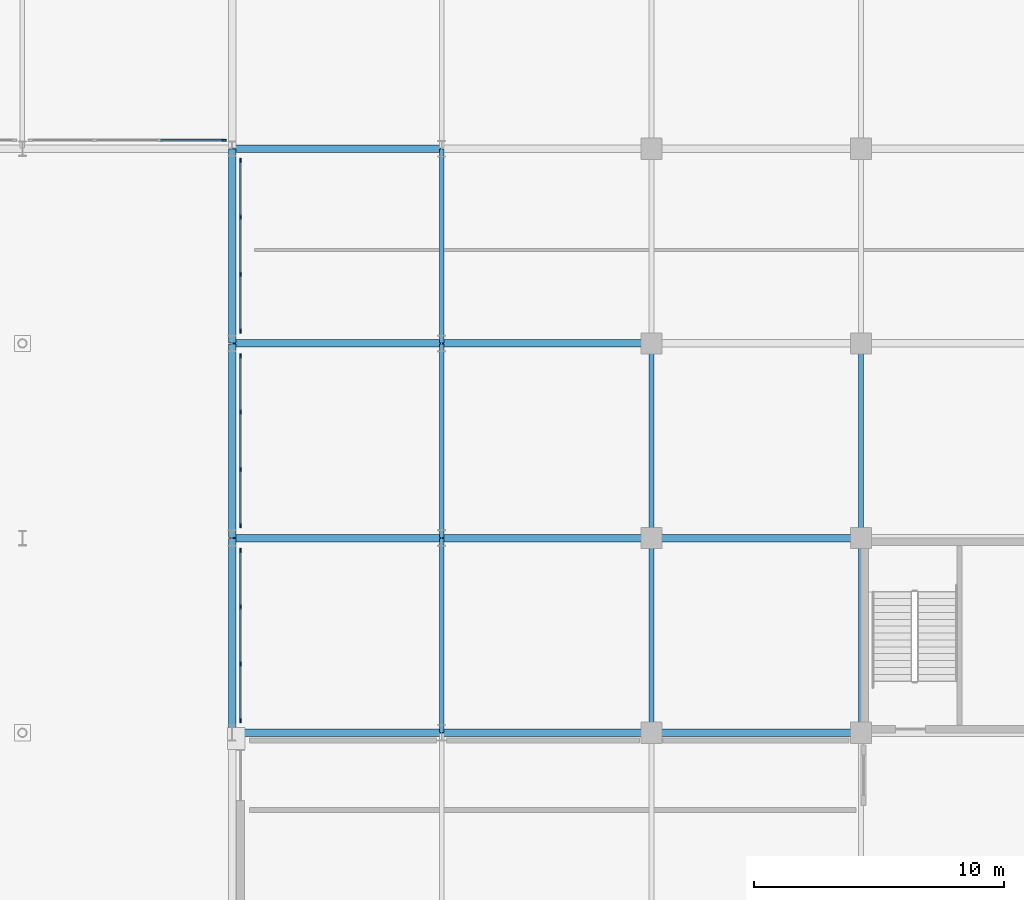
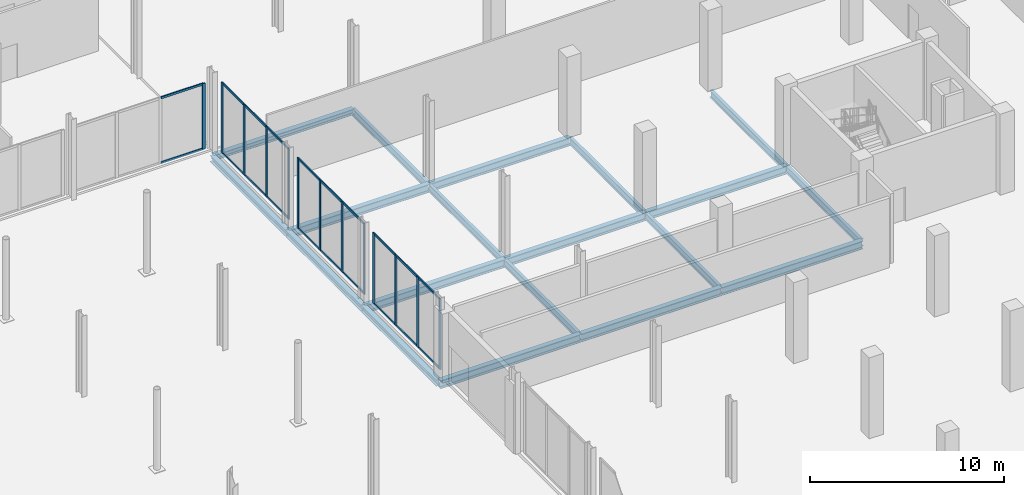
# One storey, part 38 of 80: 33 members, 19 beams, 4 elements without a shape of their own.
"""IFC4 building model written with IfcOpenShell, lengths in metres."""

import ifcopenshell
import ifcopenshell.guid

model = None  # the IFC model being written
_history = None  # IfcOwnerHistory: only IFC2X3 demands one
_inside = {}  # id of a spatial element -> (the spatial element, [elements in it])
_under = {}  # id of a project, library or spatial element -> (it, [spatial elements below it])
_declared = {}  # id of a project -> (the project, [libraries it declares])
_typed = {}  # id of a type object -> (the type object, [elements of that type])
_made_of = {}  # id of a material, layer set ... -> (it, [elements and type objects made of it])


def new_model(schema):
    """Start an empty IFC model of exactly this schema.

    Asked for "IFC4X3", IfcOpenShell would pick the latest addendum, in which some entities
    have other attributes; the version numbers below select the first issue.
    IFC2X3 requires an IfcOwnerHistory on every rooted entity: one is made here for all.
    """
    global model, _history
    if schema == "IFC4X3":
        model = ifcopenshell.file(schema_version=(4, 3, 0, 0))
    else:
        model = ifcopenshell.file(schema=schema)
    _inside.clear()
    _under.clear()
    _declared.clear()
    _typed.clear()
    _made_of.clear()
    _history = None
    if model.schema == "IFC2X3":
        org = make("IfcOrganization", Name="unknown")
        user = make(
            "IfcPersonAndOrganization",
            ThePerson=make("IfcPerson", FamilyName="unknown"),
            TheOrganization=org,
        )
        app = make(
            "IfcApplication",
            ApplicationDeveloper=org,
            Version="unknown",
            ApplicationFullName="unknown",
            ApplicationIdentifier="unknown",
        )
        _history = make(
            "IfcOwnerHistory",
            OwningUser=user,
            OwningApplication=app,
            ChangeAction="ADDED",
            CreationDate=0,
        )
    return model


def make(cls, **values):
    """One entity of the class cls with the attributes given. An attribute that is None is left unset."""
    return model.create_entity(
        cls, **{name: value for name, value in values.items() if value is not None}
    )


def rooted(cls, **values):
    """An entity with a GlobalId (a new one), such as an element, a storey or a relation."""
    return make(cls, GlobalId=ifcopenshell.guid.new(), OwnerHistory=_history, **values)


def si_unit(unit_type, name, prefix=None):
    """IfcSIUnit, for example si_unit("LENGTHUNIT", "METRE", prefix="MILLI")."""
    return make("IfcSIUnit", UnitType=unit_type, Prefix=prefix, Name=name)


def assignment(units):
    """IfcUnitAssignment: the units of a project."""
    return None if units is None else make("IfcUnitAssignment", Units=units)


def point(xyz):
    """IfcCartesianPoint."""
    return None if xyz is None else make("IfcCartesianPoint", Coordinates=xyz)


def direction(xyz):
    """IfcDirection."""
    return None if xyz is None else make("IfcDirection", DirectionRatios=xyz)


def frame(location, z_axis=None, x_axis=None):
    """IfcAxis2Placement3D, a coordinate frame: its origin and axes. An axis left out is left unset."""
    return make(
        "IfcAxis2Placement3D",
        Location=point(location),
        Axis=direction(z_axis),
        RefDirection=direction(x_axis),
    )


def frame_2d(location, x_axis=None):
    """IfcAxis2Placement2D, a coordinate frame in the plane: its origin and x axis."""
    return make(
        "IfcAxis2Placement2D", Location=point(location), RefDirection=direction(x_axis)
    )


def origin():
    """The frame at (0, 0, 0) with its axes left unset."""
    return frame((0.0, 0.0, 0.0))


def origin_2d():
    """The frame at (0, 0) in the plane with its x axis left unset."""
    return frame_2d((0.0, 0.0))


def place(relative_to, where):
    """IfcLocalPlacement: puts the frame where relative to a parent placement (None: the world)."""
    return make(
        "IfcLocalPlacement", PlacementRelTo=relative_to, RelativePlacement=where
    )


def context(
    kind, dimensions, precision=None, world=None, true_north=None, identifier=None
):
    """IfcGeometricRepresentationContext, for example the 3D "Model" context."""
    return make(
        "IfcGeometricRepresentationContext",
        ContextIdentifier=identifier,
        ContextType=kind,
        CoordinateSpaceDimension=dimensions,
        Precision=precision,
        WorldCoordinateSystem=world,
        TrueNorth=true_north,
    )


def subcontext(parent, identifier, kind, view, scale=None):
    """IfcGeometricRepresentationSubContext, for example "Body" below "Model"."""
    return make(
        "IfcGeometricRepresentationSubContext",
        ContextIdentifier=identifier,
        ContextType=kind,
        ParentContext=parent,
        TargetScale=scale,
        TargetView=view,
    )


def project(units=None, contexts=None):
    """IfcProject with its units and contexts."""
    return rooted(
        "IfcProject",
        Name="project",
        RepresentationContexts=contexts,
        UnitsInContext=assignment(units),
    )


def spatial(cls, under=None, at=None, **own):
    """A site, building, storey or space (cls), placed at a placement, below another one or the project."""
    s = rooted(cls, ObjectPlacement=at, **own)
    if under is not None:
        _under.setdefault(under.id(), (under, []))[1].append(s)
    return s


def profile(cls, at=None, kind="AREA", **sizes):
    """A parametric profile (cls). Its sizes go by their IFC names, for example OverallWidth=200.0."""
    return make(cls, ProfileType=kind, Position=at, **sizes)


def rectangle(**sizes):
    """IfcRectangleProfileDef."""
    return profile("IfcRectangleProfileDef", **sizes)


def i_section(**sizes):
    """IfcIShapeProfileDef."""
    return profile("IfcIShapeProfileDef", **sizes)


def extrude(swept, where, along, depth):
    """IfcExtrudedAreaSolid: the profile swept, set in the frame where, extruded along a direction by depth."""
    return make(
        "IfcExtrudedAreaSolid",
        SweptArea=swept,
        Position=where,
        ExtrudedDirection=direction(along),
        Depth=depth,
    )


def shape(context_of_items, identifier, shape_type, items):
    """IfcShapeRepresentation: the items that make up one representation, for example the "Body"."""
    return make(
        "IfcShapeRepresentation",
        ContextOfItems=context_of_items,
        RepresentationIdentifier=identifier,
        RepresentationType=shape_type,
        Items=items,
    )


def material(Name=None, Category=None):
    """IfcMaterial."""
    return make("IfcMaterial", Name=Name, Category=Category)


def material_profile(
    of_material, cross_section, Name=None, Category=None, Priority=None
):
    """IfcMaterialProfile: a cross section and its material."""
    return make(
        "IfcMaterialProfile",
        Name=Name,
        Material=of_material,
        Profile=cross_section,
        Priority=Priority,
        Category=Category,
    )


def profile_set(profiles, Name=None, composite=None):
    """IfcMaterialProfileSet."""
    return make(
        "IfcMaterialProfileSet",
        Name=Name,
        MaterialProfiles=profiles,
        CompositeProfile=composite,
    )


def made_of(thing, what):
    """Note that an element or type object is made of a material, layer set ...; save() writes the relation."""
    if what is not None:
        _made_of.setdefault(what.id(), (what, []))[1].append(thing)
    return thing


def type_object(cls, material=None, **own):
    """A type object (cls), such as IfcWallType, which elements share."""
    return made_of(rooted(cls, **own), material)


def element(
    cls,
    number,
    at=None,
    inside=None,
    cuts=None,
    type_object=None,
    material=None,
    context=None,
    identifier="Body",
    shape_type=None,
    held_by="IfcProductDefinitionShape",
    body=None,
    shapes=None,
    **own,
):
    """One element of the class cls, such as IfcWall. Its Tag is "e" and its number.

    at: its placement. inside: the storey or other place that contains it. cuts: it is an
    opening in that element (IfcRelVoidsElement). A single representation is given by context,
    identifier, shape_type and body (its items); several are given by shapes. held_by: the class
    of the entity that holds the representations. save() writes the other relations.
    """
    e = rooted(cls, Tag="e%d" % number, ObjectPlacement=at, **own)
    if body is not None:
        shapes = [shape(context, identifier, shape_type, body)]
    if shapes is not None:
        e.Representation = make(held_by, Representations=shapes)
    if inside is not None:
        _inside.setdefault(inside.id(), (inside, []))[1].append(e)
    if cuts is not None:
        rooted(
            "IfcRelVoidsElement", RelatingBuildingElement=cuts, RelatedOpeningElement=e
        )
    if type_object is not None:
        _typed.setdefault(type_object.id(), (type_object, []))[1].append(e)
    return made_of(e, material)


def aggregate(whole, parts):
    """IfcRelAggregates: a whole, such as a stair, and the parts it consists of."""
    return rooted("IfcRelAggregates", RelatingObject=whole, RelatedObjects=parts)


def save(model, path):
    """Write the relations noted so far, then the file.

    IfcRelAggregates (storeys below a building ...), IfcRelContainedInSpatialStructure (elements
    in a storey), IfcRelDefinesByType, IfcRelAssociatesMaterial and IfcRelDeclares: one each for
    every whole, place, type object, material and project.
    """
    for whole, parts in _under.values():
        aggregate(whole, parts)
    for where, things in _inside.values():
        rooted(
            "IfcRelContainedInSpatialStructure",
            RelatedElements=things,
            RelatingStructure=where,
        )
    for kind, things in _typed.values():
        rooted("IfcRelDefinesByType", RelatedObjects=things, RelatingType=kind)
    for what, things in _made_of.values():
        rooted("IfcRelAssociatesMaterial", RelatedObjects=things, RelatingMaterial=what)
    for by, libraries in _declared.values():
        rooted("IfcRelDeclares", RelatingContext=by, RelatedDefinitions=libraries)
    model.write(path)


model = new_model("IFC4")

# Units and contexts
model_context = context("Model", 3, precision=1e-05, world=origin(), true_north=direction((0.0, 1.0)))
body_context = subcontext(model_context, "Body", "Model", "MODEL_VIEW")
ifc_project = project(units=[si_unit("LENGTHUNIT", "METRE"), si_unit("AREAUNIT", "SQUARE_METRE"), si_unit("VOLUMEUNIT", "CUBIC_METRE"), si_unit("PLANEANGLEUNIT", "RADIAN"), si_unit("MASSUNIT", "GRAM", prefix="KILO")], contexts=[model_context])

# Site, building, storey
site_placement = place(None, origin())
site = spatial("IfcSite", under=ifc_project, at=site_placement, CompositionType="ELEMENT")
building_placement = place(site_placement, origin())
building = spatial("IfcBuilding", under=site, at=building_placement, Name="Nabrawat Pavilion Hospital", CompositionType="ELEMENT")
storey_placement = place(building_placement, origin())
storey = spatial("IfcBuildingStorey", under=building, at=storey_placement, Name="L00", CompositionType="ELEMENT", Elevation=0.0)

# Curtain wall, member
ifc_material_1 = material(Name="Anodised Aluminium", Category="aluminium")
curtain_wall_type = type_object("IfcCurtainWallType", Name="Healing Garden Cloister Curtain Wall", PredefinedType="USERDEFINED", material=ifc_material_1)
curtain_wall_1_placement = place(storey_placement, origin())
curtain_wall_1 = element("IfcCurtainWall", 1, at=curtain_wall_1_placement, inside=storey, type_object=curtain_wall_type, Name="L00 Healing Garden Cloister Curtain Wall 023", ObjectType="CURTAIN WALL", PredefinedType="USERDEFINED")
ifc_material_profile_1 = material_profile(ifc_material_1, rectangle(XDim=0.06494140625, YDim=0.179931640625, at=origin_2d()), Name="CWM 65x180")
ifc_profile_set_1 = profile_set([ifc_material_profile_1], Name="Anodised Aluminium")
member_type_1 = type_object("IfcMemberType", Name="Healing Garden Cloister Curtain Wall Mullion CWM 65x180", PredefinedType="MULLION", material=ifc_profile_set_1)
member_1_placement = place(storey_placement, frame((125.677490234375, 86.139892578125, 0.0), z_axis=(0.0, 0.0, 1.0), x_axis=(0.0, 1.0, 0.0)))
member_1 = element("IfcMember", 2, at=member_1_placement, type_object=member_type_1, Name="CW-CLN-01 mullion 4", PredefinedType="MULLION", context=body_context, shape_type="SweptSolid", body=[
    extrude(rectangle(XDim=0.06494140625, YDim=0.179931640625, at=origin_2d()), origin(), (0.0, 0.0, 1.0), 4.139892578125),
])

# Curtain wall, members
curtain_wall_2_placement = place(storey_placement, origin())
curtain_wall_2 = element("IfcCurtainWall", 3, at=curtain_wall_2_placement, inside=storey, type_object=curtain_wall_type, Name="L00 Healing Garden Cloister Curtain Wall 026", ObjectType="CURTAIN WALL", PredefinedType="USERDEFINED")
member_2_placement = place(storey_placement, frame((126.340087890625, 62.8974609375, 0.0), z_axis=(0.0, 0.0, 1.0), x_axis=(-1.0, 0.0, 0.0)))
member_2 = element("IfcMember", 4, at=member_2_placement, type_object=member_type_1, Name="CW-CLN-01 mullion 1", PredefinedType="MULLION", context=body_context, shape_type="SweptSolid", body=[
    extrude(rectangle(XDim=0.06494140625, YDim=0.179931640625, at=origin_2d()), origin(), (0.0, 0.0, 1.0), 4.43994140625),
])
member_3_placement = place(storey_placement, frame((126.340087890625, 65.155029296875, 0.0), z_axis=(0.0, 0.0, 1.0), x_axis=(-1.0, 0.0, 0.0)))
member_3 = element("IfcMember", 5, at=member_3_placement, type_object=member_type_1, Name="CW-CLN-01 mullion 2", PredefinedType="MULLION", context=body_context, shape_type="SweptSolid", body=[
    extrude(rectangle(XDim=0.06494140625, YDim=0.179931640625, at=origin_2d()), origin(), (0.0, 0.0, 1.0), 4.43994140625),
])
member_4_placement = place(storey_placement, frame((126.340087890625, 67.445068359375, 0.0), z_axis=(0.0, 0.0, 1.0), x_axis=(-1.0, 0.0, 0.0)))
member_4 = element("IfcMember", 6, at=member_4_placement, type_object=member_type_1, Name="CW-CLN-01 mullion 3", PredefinedType="MULLION", context=body_context, shape_type="SweptSolid", body=[
    extrude(rectangle(XDim=0.06494140625, YDim=0.179931640625, at=origin_2d()), origin(), (0.0, 0.0, 1.0), 4.43994140625),
])
member_5_placement = place(storey_placement, frame((126.340087890625, 69.702392578125, 0.0), z_axis=(0.0, 0.0, 1.0), x_axis=(-1.0, 0.0, 0.0)))
member_5 = element("IfcMember", 7, at=member_5_placement, type_object=member_type_1, Name="CW-CLN-01 mullion 4", PredefinedType="MULLION", context=body_context, shape_type="SweptSolid", body=[
    extrude(rectangle(XDim=0.06494140625, YDim=0.179931640625, at=origin_2d()), origin(), (0.0, 0.0, 1.0), 4.43994140625),
])

curtain_wall_3_placement = place(storey_placement, origin())
curtain_wall_3 = element("IfcCurtainWall", 8, at=curtain_wall_3_placement, inside=storey, type_object=curtain_wall_type, Name="L00 Healing Garden Cloister Curtain Wall 027", ObjectType="CURTAIN WALL", PredefinedType="USERDEFINED")
member_6_placement = place(storey_placement, frame((126.340087890625, 70.697509765625, 0.0), z_axis=(0.0, 0.0, 1.0), x_axis=(-1.0, 0.0, 0.0)))
member_6 = element("IfcMember", 9, at=member_6_placement, type_object=member_type_1, Name="CW-CLN-01 mullion 1", PredefinedType="MULLION", context=body_context, shape_type="SweptSolid", body=[
    extrude(rectangle(XDim=0.06494140625, YDim=0.179931640625, at=origin_2d()), origin(), (0.0, 0.0, 1.0), 4.43994140625),
])
member_7_placement = place(storey_placement, frame((126.340087890625, 72.955078125, 0.0), z_axis=(0.0, 0.0, 1.0), x_axis=(-1.0, 0.0, 0.0)))
member_7 = element("IfcMember", 10, at=member_7_placement, type_object=member_type_1, Name="CW-CLN-01 mullion 2", PredefinedType="MULLION", context=body_context, shape_type="SweptSolid", body=[
    extrude(rectangle(XDim=0.06494140625, YDim=0.179931640625, at=origin_2d()), origin(), (0.0, 0.0, 1.0), 4.43994140625),
])
member_8_placement = place(storey_placement, frame((126.340087890625, 75.2451171875, 0.0), z_axis=(0.0, 0.0, 1.0), x_axis=(-1.0, 0.0, 0.0)))
member_8 = element("IfcMember", 11, at=member_8_placement, type_object=member_type_1, Name="CW-CLN-01 mullion 3", PredefinedType="MULLION", context=body_context, shape_type="SweptSolid", body=[
    extrude(rectangle(XDim=0.06494140625, YDim=0.179931640625, at=origin_2d()), origin(), (0.0, 0.0, 1.0), 4.43994140625),
])
member_9_placement = place(storey_placement, frame((126.340087890625, 77.50244140625, 0.0), z_axis=(0.0, 0.0, 1.0), x_axis=(-1.0, 0.0, 0.0)))
member_9 = element("IfcMember", 12, at=member_9_placement, type_object=member_type_1, Name="CW-CLN-01 mullion 4", PredefinedType="MULLION", context=body_context, shape_type="SweptSolid", body=[
    extrude(rectangle(XDim=0.06494140625, YDim=0.179931640625, at=origin_2d()), origin(), (0.0, 0.0, 1.0), 4.43994140625),
])

curtain_wall_4_placement = place(storey_placement, origin())
curtain_wall_4 = element("IfcCurtainWall", 13, at=curtain_wall_4_placement, inside=storey, type_object=curtain_wall_type, Name="L00 Healing Garden Cloister Curtain Wall 028", ObjectType="CURTAIN WALL", PredefinedType="USERDEFINED")
member_10_placement = place(storey_placement, frame((126.340087890625, 78.49755859375, 0.0), z_axis=(0.0, 0.0, 1.0), x_axis=(-1.0, 0.0, 0.0)))
member_10 = element("IfcMember", 14, at=member_10_placement, type_object=member_type_1, Name="CW-CLN-01 mullion 1", PredefinedType="MULLION", context=body_context, shape_type="SweptSolid", body=[
    extrude(rectangle(XDim=0.06494140625, YDim=0.179931640625, at=origin_2d()), origin(), (0.0, 0.0, 1.0), 4.43994140625),
])
member_11_placement = place(storey_placement, frame((126.340087890625, 80.763427734375, 0.0), z_axis=(0.0, 0.0, 1.0), x_axis=(-1.0, 0.0, 0.0)))
member_11 = element("IfcMember", 15, at=member_11_placement, type_object=member_type_1, Name="CW-CLN-01 mullion 2", PredefinedType="MULLION", context=body_context, shape_type="SweptSolid", body=[
    extrude(rectangle(XDim=0.06494140625, YDim=0.179931640625, at=origin_2d()), origin(), (0.0, 0.0, 1.0), 4.43994140625),
])
member_12_placement = place(storey_placement, frame((126.340087890625, 83.061767578125, 0.0), z_axis=(0.0, 0.0, 1.0), x_axis=(-1.0, 0.0, 0.0)))
member_12 = element("IfcMember", 16, at=member_12_placement, type_object=member_type_1, Name="CW-CLN-01 mullion 3", PredefinedType="MULLION", context=body_context, shape_type="SweptSolid", body=[
    extrude(rectangle(XDim=0.06494140625, YDim=0.179931640625, at=origin_2d()), origin(), (0.0, 0.0, 1.0), 4.43994140625),
])
member_13_placement = place(storey_placement, frame((126.340087890625, 85.327392578125, 0.0), z_axis=(0.0, 0.0, 1.0), x_axis=(-1.0, 0.0, 0.0)))
member_13 = element("IfcMember", 17, at=member_13_placement, type_object=member_type_1, Name="CW-CLN-01 mullion 4", PredefinedType="MULLION", context=body_context, shape_type="SweptSolid", body=[
    extrude(rectangle(XDim=0.06494140625, YDim=0.179931640625, at=origin_2d()), origin(), (0.0, 0.0, 1.0), 4.43994140625),
])

# Member
ifc_material_profile_2 = material_profile(ifc_material_1, rectangle(XDim=0.06494140625, YDim=0.135009765625, at=origin_2d()), Name="CWT 65x135")
ifc_profile_set_2 = profile_set([ifc_material_profile_2], Name="Anodised Aluminium")
member_type_2 = type_object("IfcMemberType", Name="Healing Garden Cloister Curtain Wall Transom CWT 65x135", PredefinedType="USERDEFINED", material=ifc_profile_set_2)
member_14_placement = place(storey_placement, frame((123.1357421875, 86.139892578125, 0.032470703125), z_axis=(1.0, 0.0, 0.0), x_axis=(0.0, 1.0, 0.0)))
member_14 = element("IfcMember", 18, at=member_14_placement, type_object=member_type_2, Name="CW-CLN-01 transom 3.1", ObjectType="TRANSOM", PredefinedType="USERDEFINED", context=body_context, shape_type="SweptSolid", body=[
    extrude(rectangle(XDim=0.06494140625, YDim=0.135009765625, at=origin_2d()), origin(), (0.0, 0.0, 1.0), 2.50927734375),
])

member_15_placement = place(storey_placement, frame((123.1357421875, 86.139892578125, 4.107421875), z_axis=(1.0, 0.0, 0.0), x_axis=(0.0, 1.0, 0.0)))
member_15 = element("IfcMember", 19, at=member_15_placement, type_object=member_type_2, Name="CW-CLN-01 transom 3.2", ObjectType="TRANSOM", PredefinedType="USERDEFINED", context=body_context, shape_type="SweptSolid", body=[
    extrude(rectangle(XDim=0.06494140625, YDim=0.135009765625, at=origin_2d()), origin(), (0.0, 0.0, 1.0), 2.50927734375),
])

aggregate(curtain_wall_1, [member_1, member_14, member_15])

member_16_placement = place(storey_placement, frame((126.340087890625, 62.929931640625, 0.032470703125), z_axis=(0.0, 1.0, 0.0), x_axis=(-1.0, 0.0, 0.0)))
member_16 = element("IfcMember", 20, at=member_16_placement, type_object=member_type_2, Name="CW-CLN-01 transom 1.1", ObjectType="TRANSOM", PredefinedType="USERDEFINED", context=body_context, shape_type="SweptSolid", body=[
    extrude(rectangle(XDim=0.06494140625, YDim=0.135009765625, at=origin_2d()), origin(), (0.0, 0.0, 1.0), 2.192626953125),
])

member_17_placement = place(storey_placement, frame((126.340087890625, 62.929931640625, 4.407470703125), z_axis=(0.0, 1.0, 0.0), x_axis=(-1.0, 0.0, 0.0)))
member_17 = element("IfcMember", 21, at=member_17_placement, type_object=member_type_2, Name="CW-CLN-01 transom 1.2", ObjectType="TRANSOM", PredefinedType="USERDEFINED", context=body_context, shape_type="SweptSolid", body=[
    extrude(rectangle(XDim=0.06494140625, YDim=0.135009765625, at=origin_2d()), origin(), (0.0, 0.0, 1.0), 2.192626953125),
])

member_18_placement = place(storey_placement, frame((126.340087890625, 65.1875, 0.032470703125), z_axis=(0.0, 1.0, 0.0), x_axis=(-1.0, 0.0, 0.0)))
member_18 = element("IfcMember", 22, at=member_18_placement, type_object=member_type_2, Name="CW-CLN-01 transom 2.1", ObjectType="TRANSOM", PredefinedType="USERDEFINED", context=body_context, shape_type="SweptSolid", body=[
    extrude(rectangle(XDim=0.06494140625, YDim=0.135009765625, at=origin_2d()), origin(), (0.0, 0.0, 1.0), 2.22509765625),
])

member_19_placement = place(storey_placement, frame((126.340087890625, 65.1875, 4.407470703125), z_axis=(0.0, 1.0, 0.0), x_axis=(-1.0, 0.0, 0.0)))
member_19 = element("IfcMember", 23, at=member_19_placement, type_object=member_type_2, Name="CW-CLN-01 transom 2.2", ObjectType="TRANSOM", PredefinedType="USERDEFINED", context=body_context, shape_type="SweptSolid", body=[
    extrude(rectangle(XDim=0.06494140625, YDim=0.135009765625, at=origin_2d()), origin(), (0.0, 0.0, 1.0), 2.22509765625),
])

member_20_placement = place(storey_placement, frame((126.340087890625, 67.4775390625, 0.032470703125), z_axis=(0.0, 1.0, 0.0), x_axis=(-1.0, 0.0, 0.0)))
member_20 = element("IfcMember", 24, at=member_20_placement, type_object=member_type_2, Name="CW-CLN-01 transom 3.1", ObjectType="TRANSOM", PredefinedType="USERDEFINED", context=body_context, shape_type="SweptSolid", body=[
    extrude(rectangle(XDim=0.06494140625, YDim=0.135009765625, at=origin_2d()), origin(), (0.0, 0.0, 1.0), 2.1923828125),
])

member_21_placement = place(storey_placement, frame((126.340087890625, 67.4775390625, 4.407470703125), z_axis=(0.0, 1.0, 0.0), x_axis=(-1.0, 0.0, 0.0)))
member_21 = element("IfcMember", 25, at=member_21_placement, type_object=member_type_2, Name="CW-CLN-01 transom 3.2", ObjectType="TRANSOM", PredefinedType="USERDEFINED", context=body_context, shape_type="SweptSolid", body=[
    extrude(rectangle(XDim=0.06494140625, YDim=0.135009765625, at=origin_2d()), origin(), (0.0, 0.0, 1.0), 2.1923828125),
])

aggregate(curtain_wall_2, [member_2, member_3, member_4, member_5, member_16, member_17, member_18, member_19, member_20, member_21])

member_22_placement = place(storey_placement, frame((126.340087890625, 70.72998046875, 0.032470703125), z_axis=(0.0, 1.0, 0.0), x_axis=(-1.0, 0.0, 0.0)))
member_22 = element("IfcMember", 26, at=member_22_placement, type_object=member_type_2, Name="CW-CLN-01 transom 1.1", ObjectType="TRANSOM", PredefinedType="USERDEFINED", context=body_context, shape_type="SweptSolid", body=[
    extrude(rectangle(XDim=0.06494140625, YDim=0.135009765625, at=origin_2d()), origin(), (0.0, 0.0, 1.0), 2.192626953125),
])

member_23_placement = place(storey_placement, frame((126.340087890625, 70.72998046875, 4.407470703125), z_axis=(0.0, 1.0, 0.0), x_axis=(-1.0, 0.0, 0.0)))
member_23 = element("IfcMember", 27, at=member_23_placement, type_object=member_type_2, Name="CW-CLN-01 transom 1.2", ObjectType="TRANSOM", PredefinedType="USERDEFINED", context=body_context, shape_type="SweptSolid", body=[
    extrude(rectangle(XDim=0.06494140625, YDim=0.135009765625, at=origin_2d()), origin(), (0.0, 0.0, 1.0), 2.192626953125),
])

member_24_placement = place(storey_placement, frame((126.340087890625, 72.987548828125, 0.032470703125), z_axis=(0.0, 1.0, 0.0), x_axis=(-1.0, 0.0, 0.0)))
member_24 = element("IfcMember", 28, at=member_24_placement, type_object=member_type_2, Name="CW-CLN-01 transom 2.1", ObjectType="TRANSOM", PredefinedType="USERDEFINED", context=body_context, shape_type="SweptSolid", body=[
    extrude(rectangle(XDim=0.06494140625, YDim=0.135009765625, at=origin_2d()), origin(), (0.0, 0.0, 1.0), 2.224853515625),
])

member_25_placement = place(storey_placement, frame((126.340087890625, 72.987548828125, 4.407470703125), z_axis=(0.0, 1.0, 0.0), x_axis=(-1.0, 0.0, 0.0)))
member_25 = element("IfcMember", 29, at=member_25_placement, type_object=member_type_2, Name="CW-CLN-01 transom 2.2", ObjectType="TRANSOM", PredefinedType="USERDEFINED", context=body_context, shape_type="SweptSolid", body=[
    extrude(rectangle(XDim=0.06494140625, YDim=0.135009765625, at=origin_2d()), origin(), (0.0, 0.0, 1.0), 2.224853515625),
])

member_26_placement = place(storey_placement, frame((126.340087890625, 75.277587890625, 0.032470703125), z_axis=(0.0, 1.0, 0.0), x_axis=(-1.0, 0.0, 0.0)))
member_26 = element("IfcMember", 30, at=member_26_placement, type_object=member_type_2, Name="CW-CLN-01 transom 3.1", ObjectType="TRANSOM", PredefinedType="USERDEFINED", context=body_context, shape_type="SweptSolid", body=[
    extrude(rectangle(XDim=0.06494140625, YDim=0.135009765625, at=origin_2d()), origin(), (0.0, 0.0, 1.0), 2.1923828125),
])

member_27_placement = place(storey_placement, frame((126.340087890625, 75.277587890625, 4.407470703125), z_axis=(0.0, 1.0, 0.0), x_axis=(-1.0, 0.0, 0.0)))
member_27 = element("IfcMember", 31, at=member_27_placement, type_object=member_type_2, Name="CW-CLN-01 transom 3.2", ObjectType="TRANSOM", PredefinedType="USERDEFINED", context=body_context, shape_type="SweptSolid", body=[
    extrude(rectangle(XDim=0.06494140625, YDim=0.135009765625, at=origin_2d()), origin(), (0.0, 0.0, 1.0), 2.1923828125),
])

aggregate(curtain_wall_3, [member_6, member_7, member_8, member_9, member_22, member_23, member_24, member_25, member_26, member_27])

member_28_placement = place(storey_placement, frame((126.340087890625, 78.530029296875, 0.032470703125), z_axis=(0.0, 1.0, 0.0), x_axis=(-1.0, 0.0, 0.0)))
member_28 = element("IfcMember", 32, at=member_28_placement, type_object=member_type_2, Name="CW-CLN-01 transom 1.1", ObjectType="TRANSOM", PredefinedType="USERDEFINED", context=body_context, shape_type="SweptSolid", body=[
    extrude(rectangle(XDim=0.06494140625, YDim=0.135009765625, at=origin_2d()), origin(), (0.0, 0.0, 1.0), 2.20068359375),
])

member_29_placement = place(storey_placement, frame((126.340087890625, 78.530029296875, 4.407470703125), z_axis=(0.0, 1.0, 0.0), x_axis=(-1.0, 0.0, 0.0)))
member_29 = element("IfcMember", 33, at=member_29_placement, type_object=member_type_2, Name="CW-CLN-01 transom 1.2", ObjectType="TRANSOM", PredefinedType="USERDEFINED", context=body_context, shape_type="SweptSolid", body=[
    extrude(rectangle(XDim=0.06494140625, YDim=0.135009765625, at=origin_2d()), origin(), (0.0, 0.0, 1.0), 2.20068359375),
])

member_30_placement = place(storey_placement, frame((126.340087890625, 80.7958984375, 0.032470703125), z_axis=(0.0, 1.0, 0.0), x_axis=(-1.0, 0.0, 0.0)))
member_30 = element("IfcMember", 34, at=member_30_placement, type_object=member_type_2, Name="CW-CLN-01 transom 2.1", ObjectType="TRANSOM", PredefinedType="USERDEFINED", context=body_context, shape_type="SweptSolid", body=[
    extrude(rectangle(XDim=0.06494140625, YDim=0.135009765625, at=origin_2d()), origin(), (0.0, 0.0, 1.0), 2.233154296875),
])

member_31_placement = place(storey_placement, frame((126.340087890625, 80.7958984375, 4.407470703125), z_axis=(0.0, 1.0, 0.0), x_axis=(-1.0, 0.0, 0.0)))
member_31 = element("IfcMember", 35, at=member_31_placement, type_object=member_type_2, Name="CW-CLN-01 transom 2.2", ObjectType="TRANSOM", PredefinedType="USERDEFINED", context=body_context, shape_type="SweptSolid", body=[
    extrude(rectangle(XDim=0.06494140625, YDim=0.135009765625, at=origin_2d()), origin(), (0.0, 0.0, 1.0), 2.233154296875),
])

member_32_placement = place(storey_placement, frame((126.340087890625, 83.09423828125, 0.032470703125), z_axis=(0.0, 1.0, 0.0), x_axis=(-1.0, 0.0, 0.0)))
member_32 = element("IfcMember", 36, at=member_32_placement, type_object=member_type_2, Name="CW-CLN-01 transom 3.1", ObjectType="TRANSOM", PredefinedType="USERDEFINED", context=body_context, shape_type="SweptSolid", body=[
    extrude(rectangle(XDim=0.06494140625, YDim=0.135009765625, at=origin_2d()), origin(), (0.0, 0.0, 1.0), 2.20068359375),
])

member_33_placement = place(storey_placement, frame((126.340087890625, 83.09423828125, 4.407470703125), z_axis=(0.0, 1.0, 0.0), x_axis=(-1.0, 0.0, 0.0)))
member_33 = element("IfcMember", 37, at=member_33_placement, type_object=member_type_2, Name="CW-CLN-01 transom 3.2", ObjectType="TRANSOM", PredefinedType="USERDEFINED", context=body_context, shape_type="SweptSolid", body=[
    extrude(rectangle(XDim=0.06494140625, YDim=0.135009765625, at=origin_2d()), origin(), (0.0, 0.0, 1.0), 2.20068359375),
])

aggregate(curtain_wall_4, [member_10, member_11, member_12, member_13, member_28, member_29, member_30, member_31, member_32, member_33])

# Beams
ifc_material_2 = material(Name="Steel S355", Category="steel")
ifc_material_profile_3 = material_profile(ifc_material_2, i_section(OverallWidth=0.300048828125, OverallDepth=0.389892578125, WebThickness=0.010986328125, FlangeThickness=0.01904296875, FilletRadius=0.027099609375, at=origin_2d()), Name="HEA 400")
ifc_profile_set_3 = profile_set([ifc_material_profile_3], Name="Steel S355")
beam_type_1 = type_object("IfcBeamType", Name="Perimeter Moment Spandrel Beam HEA 400", PredefinedType="SPANDREL", material=ifc_profile_set_3)
for number, where, z_axis, x_axis, name in (
    (38, (126.0, 62.419921875, -0.445068359375), (0.0, 1.0, 0.0), (-1.0, 0.0, 0.0), "L00 Primary Y Beam 328"),
    (39, (126.0, 70.219970703125, -0.445068359375), (0.0, 1.0, 0.0), (-1.0, 0.0, 0.0), "L00 Primary Y Beam 329"),
    (40, (126.0, 78.02001953125, -0.445068359375), (0.0, 1.0, 0.0), (-1.0, 0.0, 0.0), "L00 Primary Y Beam 330"),
):
    element("IfcBeam", number, at=place(storey_placement, frame(where, z_axis=z_axis, x_axis=x_axis)), inside=storey, type_object=beam_type_1, Name=name, PredefinedType="SPANDREL", context=body_context, shape_type="SweptSolid", body=[
        extrude(i_section(OverallWidth=0.300048828125, OverallDepth=0.389892578125, WebThickness=0.010986328125, FlangeThickness=0.01904296875, FilletRadius=0.027099609375, at=origin_2d()), origin(), (0.0, 0.0, 1.0), 7.760009765625),
    ])
ifc_material_profile_4 = material_profile(ifc_material_2, i_section(OverallWidth=0.300048828125, OverallDepth=0.5, WebThickness=0.014404296875, FlangeThickness=0.028076171875, FilletRadius=0.027099609375, at=origin_2d()), Name="HEB 500")
ifc_profile_set_4 = profile_set([ifc_material_profile_4], Name="Steel S355")
beam_type_2 = type_object("IfcBeamType", Name="Primary Floor Girder HEB 500", PredefinedType="USERDEFINED", material=ifc_profile_set_4)
beam_1_placement = place(storey_placement, frame((126.02001953125, 62.39990234375, -0.5), z_axis=(1.0, 0.0, 0.0), x_axis=(0.0, 1.0, 0.0)))
element("IfcBeam", 41, at=beam_1_placement, inside=storey, type_object=beam_type_2, Name="L00 Primary X Girder 114", ObjectType="GIRDER", PredefinedType="USERDEFINED", context=body_context, shape_type="SweptSolid", body=[
    extrude(i_section(OverallWidth=0.300048828125, OverallDepth=0.5, WebThickness=0.014404296875, FlangeThickness=0.028076171875, FilletRadius=0.027099609375, at=origin_2d()), origin(), (0.0, 0.0, 1.0), 8.35986328125),
])
beam_2_placement = place(storey_placement, frame((134.419921875, 62.39990234375, -0.5), z_axis=(1.0, 0.0, 0.0), x_axis=(0.0, 1.0, 0.0)))
element("IfcBeam", 42, at=beam_2_placement, inside=storey, type_object=beam_type_2, Name="L00 Primary X Girder 115", ObjectType="GIRDER", PredefinedType="USERDEFINED", context=body_context, shape_type="SweptSolid", body=[
    extrude(i_section(OverallWidth=0.300048828125, OverallDepth=0.5, WebThickness=0.014404296875, FlangeThickness=0.028076171875, FilletRadius=0.027099609375, at=origin_2d()), origin(), (0.0, 0.0, 1.0), 8.360107421875),
])
for number, where, z_axis, x_axis, name in (
    (43, (142.820068359375, 62.39990234375, -0.5), (1.0, 0.0, 0.0), (0.0, 1.0, 0.0), "L00 Primary X Girder 116"),
    (44, (126.02001953125, 70.199951171875, -0.5), (1.0, 0.0, 0.0), (0.0, 1.0, 0.0), "L00 Primary X Girder 123"),
):
    element("IfcBeam", number, at=place(storey_placement, frame(where, z_axis=z_axis, x_axis=x_axis)), inside=storey, type_object=beam_type_2, Name=name, ObjectType="GIRDER", PredefinedType="USERDEFINED", context=body_context, shape_type="SweptSolid", body=[
        extrude(i_section(OverallWidth=0.300048828125, OverallDepth=0.5, WebThickness=0.014404296875, FlangeThickness=0.028076171875, FilletRadius=0.027099609375, at=origin_2d()), origin(), (0.0, 0.0, 1.0), 8.35986328125),
    ])
beam_3_placement = place(storey_placement, frame((134.419921875, 70.199951171875, -0.5), z_axis=(1.0, 0.0, 0.0), x_axis=(0.0, 1.0, 0.0)))
element("IfcBeam", 45, at=beam_3_placement, inside=storey, type_object=beam_type_2, Name="L00 Primary X Girder 124", ObjectType="GIRDER", PredefinedType="USERDEFINED", context=body_context, shape_type="SweptSolid", body=[
    extrude(i_section(OverallWidth=0.300048828125, OverallDepth=0.5, WebThickness=0.014404296875, FlangeThickness=0.028076171875, FilletRadius=0.027099609375, at=origin_2d()), origin(), (0.0, 0.0, 1.0), 8.360107421875),
])
for number, where, z_axis, x_axis, name in (
    (46, (142.820068359375, 70.199951171875, -0.5), (1.0, 0.0, 0.0), (0.0, 1.0, 0.0), "L00 Primary X Girder 125"),
    (47, (126.02001953125, 78.0, -0.5), (1.0, 0.0, 0.0), (0.0, 1.0, 0.0), "L00 Primary X Girder 133"),
):
    element("IfcBeam", number, at=place(storey_placement, frame(where, z_axis=z_axis, x_axis=x_axis)), inside=storey, type_object=beam_type_2, Name=name, ObjectType="GIRDER", PredefinedType="USERDEFINED", context=body_context, shape_type="SweptSolid", body=[
        extrude(i_section(OverallWidth=0.300048828125, OverallDepth=0.5, WebThickness=0.014404296875, FlangeThickness=0.028076171875, FilletRadius=0.027099609375, at=origin_2d()), origin(), (0.0, 0.0, 1.0), 8.35986328125),
    ])
beam_4_placement = place(storey_placement, frame((134.419921875, 78.0, -0.5), z_axis=(1.0, 0.0, 0.0), x_axis=(0.0, 1.0, 0.0)))
element("IfcBeam", 48, at=beam_4_placement, inside=storey, type_object=beam_type_2, Name="L00 Primary X Girder 134", ObjectType="GIRDER", PredefinedType="USERDEFINED", context=body_context, shape_type="SweptSolid", body=[
    extrude(i_section(OverallWidth=0.300048828125, OverallDepth=0.5, WebThickness=0.014404296875, FlangeThickness=0.028076171875, FilletRadius=0.027099609375, at=origin_2d()), origin(), (0.0, 0.0, 1.0), 8.360107421875),
])
ifc_material_profile_5 = material_profile(ifc_material_2, i_section(OverallWidth=0.18994140625, OverallDepth=0.449951171875, WebThickness=0.009521484375, FlangeThickness=0.0146484375, FilletRadius=0.02099609375, at=origin_2d()), Name="IPE 450")
ifc_profile_set_5 = profile_set([ifc_material_profile_5], Name="Steel S355")
beam_type_3 = type_object("IfcBeamType", Name="Primary Y Floor Beam IPE 450", PredefinedType="BEAM", material=ifc_profile_set_5)
for number, where, z_axis, x_axis, name in (
    (49, (134.39990234375, 62.419921875, -0.47509765625), (0.0, 1.0, 0.0), (-1.0, 0.0, 0.0), "L00 Primary Y Beam 344"),
    (50, (134.39990234375, 70.219970703125, -0.47509765625), (0.0, 1.0, 0.0), (-1.0, 0.0, 0.0), "L00 Primary Y Beam 345"),
    (51, (134.39990234375, 78.02001953125, -0.47509765625), (0.0, 1.0, 0.0), (-1.0, 0.0, 0.0), "L00 Primary Y Beam 346"),
    (52, (142.800048828125, 62.419921875, -0.47509765625), (0.0, 1.0, 0.0), (-1.0, 0.0, 0.0), "L00 Primary Y Beam 360"),
    (53, (142.800048828125, 70.219970703125, -0.47509765625), (0.0, 1.0, 0.0), (-1.0, 0.0, 0.0), "L00 Primary Y Beam 361"),
    (54, (151.199951171875, 62.419921875, -0.47509765625), (0.0, 1.0, 0.0), (-1.0, 0.0, 0.0), "L00 Primary Y Beam 376"),
    (55, (151.199951171875, 70.219970703125, -0.47509765625), (0.0, 1.0, 0.0), (-1.0, 0.0, 0.0), "L00 Primary Y Beam 377"),
):
    element("IfcBeam", number, at=place(storey_placement, frame(where, z_axis=z_axis, x_axis=x_axis)), inside=storey, type_object=beam_type_3, Name=name, PredefinedType="BEAM", context=body_context, shape_type="SweptSolid", body=[
        extrude(i_section(OverallWidth=0.18994140625, OverallDepth=0.449951171875, WebThickness=0.009521484375, FlangeThickness=0.0146484375, FilletRadius=0.02099609375, at=origin_2d()), origin(), (0.0, 0.0, 1.0), 7.760009765625),
    ])
ifc_material_profile_6 = material_profile(ifc_material_2, i_section(OverallWidth=0.300048828125, OverallDepth=0.340087890625, WebThickness=0.011962890625, FlangeThickness=0.021484375, FilletRadius=0.027099609375, at=origin_2d()), Name="HEB 340")
ifc_profile_set_6 = profile_set([ifc_material_profile_6], Name="Steel S355")
beam_type_4 = type_object("IfcBeamType", Name="Ward Perimeter Spandrel Beam HEB 340", PredefinedType="SPANDREL", material=ifc_profile_set_6)
beam_5_placement = place(storey_placement, frame((126.02001953125, 85.800048828125, -0.419921875), z_axis=(1.0, 0.0, 0.0), x_axis=(0.0, 1.0, 0.0)))
element("IfcBeam", 56, at=beam_5_placement, inside=storey, type_object=beam_type_4, Name="L00 Primary X Girder 156", PredefinedType="SPANDREL", context=body_context, shape_type="SweptSolid", body=[
    extrude(i_section(OverallWidth=0.300048828125, OverallDepth=0.340087890625, WebThickness=0.011962890625, FlangeThickness=0.021484375, FilletRadius=0.027099609375, at=origin_2d()), origin(), (0.0, 0.0, 1.0), 8.35986328125),
])

save(model, "model.ifc")
